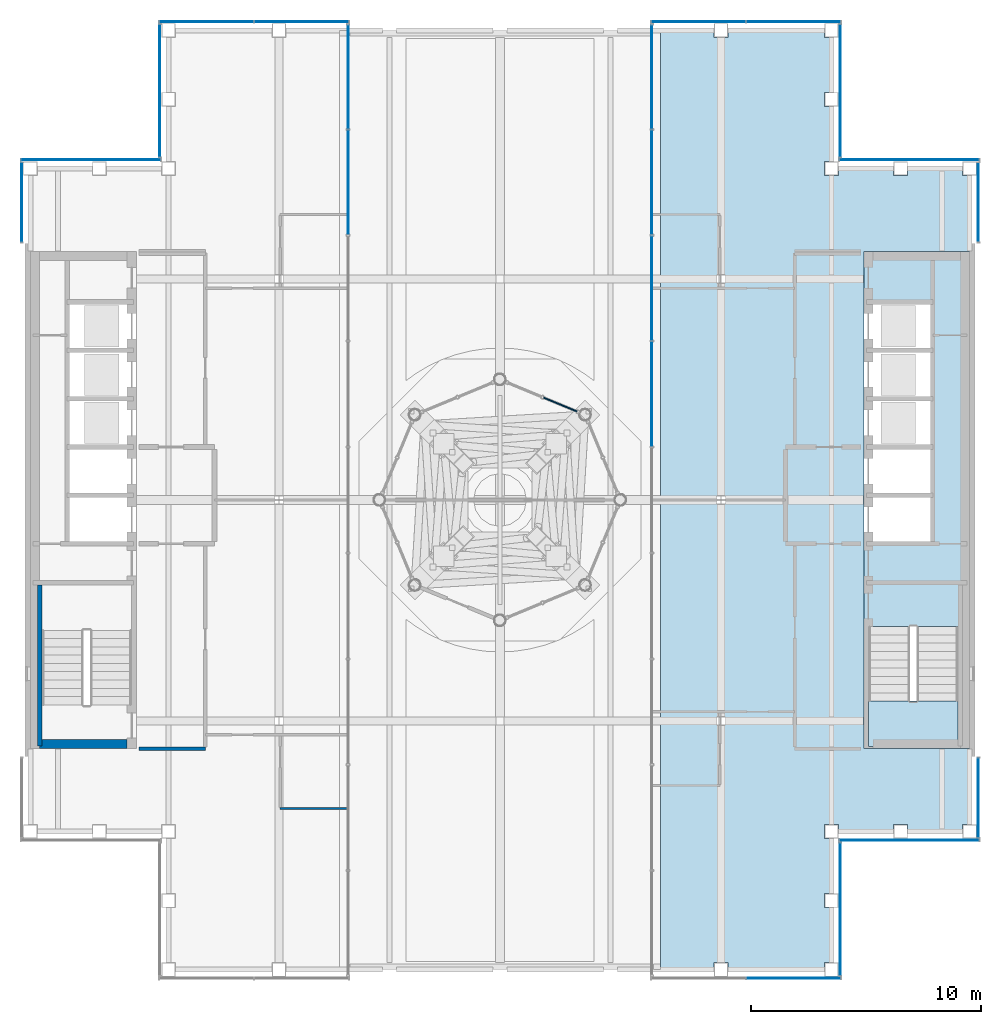
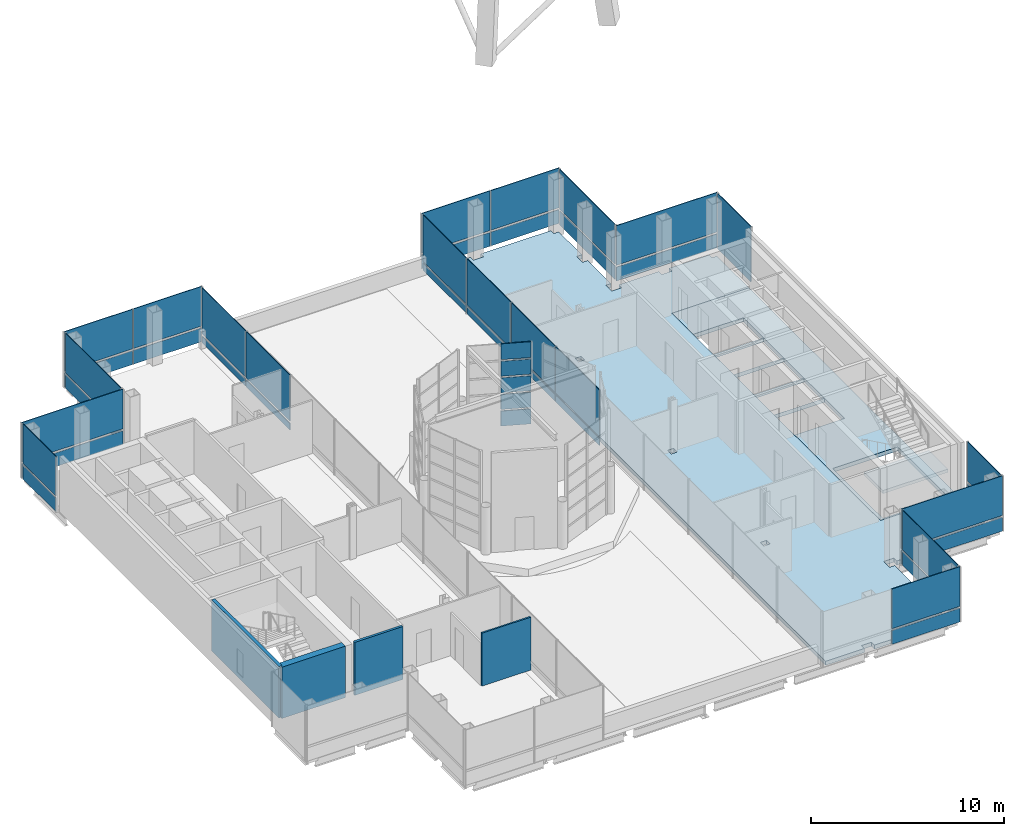
# One storey, part 24 of 32: 44 plates, 4 walls, 3 slabs, 16 elements without a shape of their own.
"""IFC4 building model written with IfcOpenShell, lengths in metres."""

from ifc_helpers import new_model, si_unit, direction, frame, frame_2d, origin, origin_2d, place, context, subcontext, project, spatial, polyline, rectangle, outline, extrude, material, layer, layer_set, type_object, element, aggregate, save


model = new_model("IFC4")

# Units and contexts
model_context = context("Model", 3, precision=1e-05, world=origin(), true_north=direction((0.0, 1.0)))
body_context = subcontext(model_context, "Body", "Model", "MODEL_VIEW")
ifc_project = project(units=[si_unit("LENGTHUNIT", "METRE"), si_unit("AREAUNIT", "SQUARE_METRE"), si_unit("VOLUMEUNIT", "CUBIC_METRE"), si_unit("PLANEANGLEUNIT", "RADIAN"), si_unit("MASSUNIT", "GRAM", prefix="KILO")], contexts=[model_context])

# Site, building, storey
site_placement = place(None, origin())
site = spatial("IfcSite", under=ifc_project, at=site_placement, CompositionType="ELEMENT")
building_placement = place(site_placement, origin())
building = spatial("IfcBuilding", under=site, at=building_placement, Name="Cobrizo Arcos Hotel Tower", CompositionType="ELEMENT")
storey_placement = place(building_placement, frame((0.0, 0.0, 265.5)))
storey = spatial("IfcBuildingStorey", under=building, at=storey_placement, Name="L70", CompositionType="ELEMENT", Elevation=265.5)

# Curtain wall, plates
ifc_material_1 = material(Name="Aluminium 6063-T6 anodised bronze", Category="aluminium")
curtain_wall_type_1 = type_object("IfcCurtainWallType", Name="CW-A guest facade", PredefinedType="NOTDEFINED", material=ifc_material_1)
curtain_wall_1_placement = place(storey_placement, origin())
curtain_wall_1 = element("IfcCurtainWall", 1, at=curtain_wall_1_placement, inside=storey, type_object=curtain_wall_type_1, Name="CW-A L70 N face", PredefinedType="NOTDEFINED")
ifc_material_2 = material(Name="Glass clear laminated low-e", Category="glass")
ifc_layer_1 = layer(ifc_material_2, 0.0400390625)
ifc_layer_set_1 = layer_set([ifc_layer_1], Name="CW-A glass panel")
plate_type_1 = type_object("IfcPlateType", Name="CW-A glass panel", PredefinedType="CURTAIN_PANEL", material=ifc_layer_set_1)
plate_1_placement = place(storey_placement, frame((12.75341796875, 20.77490234375, 0.990234375), z_axis=(0.0, 0.0, 1.0), x_axis=(-1.0, 0.0, 0.0)))
plate_1 = element("IfcPlate", 2, at=plate_1_placement, type_object=plate_type_1, Name="CW-A glass panel 2180", PredefinedType="CURTAIN_PANEL", context=body_context, shape_type="SweptSolid", body=[
    extrude(rectangle(XDim=4.072998046875, YDim=0.0400390625, at=origin_2d()), origin(), (0.0, 0.0, 1.0), 2.510009765625),
])
plate_2_placement = place(storey_placement, frame((8.62060546875, 20.77490234375, 0.990234375), z_axis=(0.0, 0.0, 1.0), x_axis=(-1.0, 0.0, 0.0)))
plate_2 = element("IfcPlate", 3, at=plate_2_placement, type_object=plate_type_1, Name="CW-A glass panel 2181", PredefinedType="CURTAIN_PANEL", context=body_context, shape_type="SweptSolid", body=[
    extrude(rectangle(XDim=4.072998046875, YDim=0.0400390625, at=origin_2d()), origin(), (0.0, 0.0, 1.0), 2.510009765625),
])

# Curtain wall, plate
curtain_wall_2_placement = place(storey_placement, origin())
curtain_wall_2 = element("IfcCurtainWall", 4, at=curtain_wall_2_placement, inside=storey, type_object=curtain_wall_type_1, Name="CW-A L70 S face", PredefinedType="NOTDEFINED")
plate_3_placement = place(storey_placement, frame((12.75341796875, -20.77490234375, 0.990234375), z_axis=(0.0, 0.0, 1.0), x_axis=(1.0, 0.0, 0.0)))
plate_3 = element("IfcPlate", 5, at=plate_3_placement, type_object=plate_type_1, Name="CW-A glass panel 2192", PredefinedType="CURTAIN_PANEL", context=body_context, shape_type="SweptSolid", body=[
    extrude(rectangle(XDim=4.072998046875, YDim=0.0400390625, at=origin_2d()), origin(), (0.0, 0.0, 1.0), 2.510009765625),
])

curtain_wall_3_placement = place(storey_placement, origin())
curtain_wall_3 = element("IfcCurtainWall", 6, at=curtain_wall_3_placement, inside=storey, type_object=curtain_wall_type_1, Name="CW-A L70 E face", PredefinedType="NOTDEFINED")
plate_4_placement = place(storey_placement, frame((14.77490234375, -17.77490234375, 0.990234375), z_axis=(0.0, 0.0, 1.0), x_axis=(0.0, 1.0, 0.0)))
plate_4 = element("IfcPlate", 7, at=plate_4_placement, type_object=plate_type_1, Name="CW-A glass panel 2193", PredefinedType="CURTAIN_PANEL", context=body_context, shape_type="SweptSolid", body=[
    extrude(rectangle(XDim=5.72998046875, YDim=0.0400390625, at=origin_2d()), origin(), (0.0, 0.0, 1.0), 2.510009765625),
])

curtain_wall_4_placement = place(storey_placement, origin())
curtain_wall_4 = element("IfcCurtainWall", 8, at=curtain_wall_4_placement, inside=storey, type_object=curtain_wall_type_1, Name="CW-A L70 S face", PredefinedType="NOTDEFINED")
plate_5_placement = place(storey_placement, frame((17.77490234375, -14.77490234375, 0.990234375), z_axis=(0.0, 0.0, 1.0), x_axis=(1.0, 0.0, 0.0)))
plate_5 = element("IfcPlate", 9, at=plate_5_placement, type_object=plate_type_1, Name="CW-A glass panel 2194", PredefinedType="CURTAIN_PANEL", context=body_context, shape_type="SweptSolid", body=[
    extrude(rectangle(XDim=6.030029296875, YDim=0.0400390625, at=origin_2d()), origin(), (0.0, 0.0, 1.0), 2.510009765625),
])

curtain_wall_5_placement = place(storey_placement, origin())
curtain_wall_5 = element("IfcCurtainWall", 10, at=curtain_wall_5_placement, inside=storey, type_object=curtain_wall_type_1, Name="CW-A L70 E face", PredefinedType="NOTDEFINED")
plate_6_placement = place(storey_placement, frame((20.77490234375, -12.925048828125, 0.990234375), z_axis=(0.0, 0.0, 1.0), x_axis=(0.0, 1.0, 0.0)))
plate_6 = element("IfcPlate", 11, at=plate_6_placement, type_object=plate_type_1, Name="CW-A glass panel 2195", PredefinedType="CURTAIN_PANEL", context=body_context, shape_type="SweptSolid", body=[
    extrude(rectangle(XDim=3.429931640625, YDim=0.0400390625, at=origin_2d()), origin(), (0.0, 0.0, 1.0), 2.510009765625),
])

curtain_wall_6_placement = place(storey_placement, origin())
curtain_wall_6 = element("IfcCurtainWall", 12, at=curtain_wall_6_placement, inside=storey, type_object=curtain_wall_type_1, Name="CW-A L70 N face", PredefinedType="NOTDEFINED")
plate_7_placement = place(storey_placement, frame((17.77490234375, 14.77490234375, 0.990234375), z_axis=(0.0, 0.0, 1.0), x_axis=(-1.0, 0.0, 0.0)))
plate_7 = element("IfcPlate", 13, at=plate_7_placement, type_object=plate_type_1, Name="CW-A glass panel 2197", PredefinedType="CURTAIN_PANEL", context=body_context, shape_type="SweptSolid", body=[
    extrude(rectangle(XDim=6.030029296875, YDim=0.0400390625, at=origin_2d()), origin(), (0.0, 0.0, 1.0), 2.510009765625),
])

curtain_wall_7_placement = place(storey_placement, origin())
curtain_wall_7 = element("IfcCurtainWall", 14, at=curtain_wall_7_placement, inside=storey, type_object=curtain_wall_type_1, Name="CW-A L70 E face", PredefinedType="NOTDEFINED")
plate_8_placement = place(storey_placement, frame((14.77490234375, 17.77490234375, 0.990234375), z_axis=(0.0, 0.0, 1.0), x_axis=(0.0, 1.0, 0.0)))
plate_8 = element("IfcPlate", 15, at=plate_8_placement, type_object=plate_type_1, Name="CW-A glass panel 2198", PredefinedType="CURTAIN_PANEL", context=body_context, shape_type="SweptSolid", body=[
    extrude(rectangle(XDim=5.72998046875, YDim=0.0400390625, at=origin_2d()), origin(), (0.0, 0.0, 1.0), 2.510009765625),
])

# Curtain wall, plates
curtain_wall_8_placement = place(storey_placement, origin())
curtain_wall_8 = element("IfcCurtainWall", 16, at=curtain_wall_8_placement, inside=storey, type_object=curtain_wall_type_1, Name="CW-A L70 N face", PredefinedType="NOTDEFINED")
plate_9_placement = place(storey_placement, frame((-8.62060546875, 20.77490234375, 0.990234375), z_axis=(0.0, 0.0, 1.0), x_axis=(-1.0, 0.0, 0.0)))
plate_9 = element("IfcPlate", 17, at=plate_9_placement, type_object=plate_type_1, Name="CW-A glass panel 2210", PredefinedType="CURTAIN_PANEL", context=body_context, shape_type="SweptSolid", body=[
    extrude(rectangle(XDim=4.072998046875, YDim=0.0400390625, at=origin_2d()), origin(), (0.0, 0.0, 1.0), 2.510009765625),
])
plate_10_placement = place(storey_placement, frame((-12.75341796875, 20.77490234375, 0.990234375), z_axis=(0.0, 0.0, 1.0), x_axis=(-1.0, 0.0, 0.0)))
plate_10 = element("IfcPlate", 18, at=plate_10_placement, type_object=plate_type_1, Name="CW-A glass panel 2211", PredefinedType="CURTAIN_PANEL", context=body_context, shape_type="SweptSolid", body=[
    extrude(rectangle(XDim=4.072998046875, YDim=0.0400390625, at=origin_2d()), origin(), (0.0, 0.0, 1.0), 2.510009765625),
])

# Curtain wall, plate
curtain_wall_9_placement = place(storey_placement, origin())
curtain_wall_9 = element("IfcCurtainWall", 19, at=curtain_wall_9_placement, inside=storey, type_object=curtain_wall_type_1, Name="CW-A L70 W face", PredefinedType="NOTDEFINED")
plate_11_placement = place(storey_placement, frame((-14.77490234375, 17.77490234375, 0.990234375), z_axis=(0.0, 0.0, 1.0), x_axis=(0.0, -1.0, 0.0)))
plate_11 = element("IfcPlate", 20, at=plate_11_placement, type_object=plate_type_1, Name="CW-A glass panel 2212", PredefinedType="CURTAIN_PANEL", context=body_context, shape_type="SweptSolid", body=[
    extrude(rectangle(XDim=5.72998046875, YDim=0.0400390625, at=origin_2d()), origin(), (0.0, 0.0, 1.0), 2.510009765625),
])

curtain_wall_10_placement = place(storey_placement, origin())
curtain_wall_10 = element("IfcCurtainWall", 21, at=curtain_wall_10_placement, inside=storey, type_object=curtain_wall_type_1, Name="CW-A L70 N face", PredefinedType="NOTDEFINED")
plate_12_placement = place(storey_placement, frame((-17.77490234375, 14.77490234375, 0.990234375), z_axis=(0.0, 0.0, 1.0), x_axis=(-1.0, 0.0, 0.0)))
plate_12 = element("IfcPlate", 22, at=plate_12_placement, type_object=plate_type_1, Name="CW-A glass panel 2213", PredefinedType="CURTAIN_PANEL", context=body_context, shape_type="SweptSolid", body=[
    extrude(rectangle(XDim=6.030029296875, YDim=0.0400390625, at=origin_2d()), origin(), (0.0, 0.0, 1.0), 2.510009765625),
])

curtain_wall_11_placement = place(storey_placement, origin())
curtain_wall_11 = element("IfcCurtainWall", 23, at=curtain_wall_11_placement, inside=storey, type_object=curtain_wall_type_1, Name="CW-A L70 W face", PredefinedType="NOTDEFINED")
plate_13_placement = place(storey_placement, frame((-20.77490234375, 12.925048828125, 0.990234375), z_axis=(0.0, 0.0, 1.0), x_axis=(0.0, -1.0, 0.0)))
plate_13 = element("IfcPlate", 24, at=plate_13_placement, type_object=plate_type_1, Name="CW-A glass panel 2214", PredefinedType="CURTAIN_PANEL", context=body_context, shape_type="SweptSolid", body=[
    extrude(rectangle(XDim=3.429931640625, YDim=0.0400390625, at=origin_2d()), origin(), (0.0, 0.0, 1.0), 2.510009765625),
])

# Plate
ifc_material_3 = material(Name="Aluminium composite panel pale metal", Category="aluminium")
ifc_layer_2 = layer(ifc_material_3, 0.0400390625)
ifc_layer_set_2 = layer_set([ifc_layer_2], Name="CW-A spandrel panel")
plate_type_2 = type_object("IfcPlateType", Name="CW-A spandrel panel", PredefinedType="CURTAIN_PANEL", material=ifc_layer_set_2)
plate_14_placement = place(storey_placement, frame((12.75341796875, 20.77490234375, 0.0), z_axis=(0.0, 0.0, 1.0), x_axis=(-1.0, 0.0, 0.0)))
plate_14 = element("IfcPlate", 25, at=plate_14_placement, type_object=plate_type_2, Name="CW-A spandrel panel 2180", PredefinedType="CURTAIN_PANEL", context=body_context, shape_type="SweptSolid", body=[
    extrude(rectangle(XDim=4.072998046875, YDim=0.0400390625, at=origin_2d()), origin(), (0.0, 0.0, 1.0), 0.8701171875),
])

plate_15_placement = place(storey_placement, frame((8.62060546875, 20.77490234375, 0.0), z_axis=(0.0, 0.0, 1.0), x_axis=(-1.0, 0.0, 0.0)))
plate_15 = element("IfcPlate", 26, at=plate_15_placement, type_object=plate_type_2, Name="CW-A spandrel panel 2181", PredefinedType="CURTAIN_PANEL", context=body_context, shape_type="SweptSolid", body=[
    extrude(rectangle(XDim=4.072998046875, YDim=0.0400390625, at=origin_2d()), origin(), (0.0, 0.0, 1.0), 0.8701171875),
])

aggregate(curtain_wall_1, [plate_14, plate_1, plate_15, plate_2])

plate_16_placement = place(storey_placement, frame((12.75341796875, -20.77490234375, 0.0), z_axis=(0.0, 0.0, 1.0), x_axis=(1.0, 0.0, 0.0)))
plate_16 = element("IfcPlate", 27, at=plate_16_placement, type_object=plate_type_2, Name="CW-A spandrel panel 2192", PredefinedType="CURTAIN_PANEL", context=body_context, shape_type="SweptSolid", body=[
    extrude(rectangle(XDim=4.072998046875, YDim=0.0400390625, at=origin_2d()), origin(), (0.0, 0.0, 1.0), 0.8701171875),
])

aggregate(curtain_wall_2, [plate_16, plate_3])

plate_17_placement = place(storey_placement, frame((14.77490234375, -17.77490234375, 0.0), z_axis=(0.0, 0.0, 1.0), x_axis=(0.0, 1.0, 0.0)))
plate_17 = element("IfcPlate", 28, at=plate_17_placement, type_object=plate_type_2, Name="CW-A spandrel panel 2193", PredefinedType="CURTAIN_PANEL", context=body_context, shape_type="SweptSolid", body=[
    extrude(rectangle(XDim=5.72998046875, YDim=0.0400390625, at=origin_2d()), origin(), (0.0, 0.0, 1.0), 0.8701171875),
])

aggregate(curtain_wall_3, [plate_17, plate_4])

plate_18_placement = place(storey_placement, frame((17.77490234375, -14.77490234375, 0.0), z_axis=(0.0, 0.0, 1.0), x_axis=(1.0, 0.0, 0.0)))
plate_18 = element("IfcPlate", 29, at=plate_18_placement, type_object=plate_type_2, Name="CW-A spandrel panel 2194", PredefinedType="CURTAIN_PANEL", context=body_context, shape_type="SweptSolid", body=[
    extrude(rectangle(XDim=6.030029296875, YDim=0.0400390625, at=origin_2d()), origin(), (0.0, 0.0, 1.0), 0.8701171875),
])

aggregate(curtain_wall_4, [plate_18, plate_5])

plate_19_placement = place(storey_placement, frame((20.77490234375, -12.925048828125, 0.0), z_axis=(0.0, 0.0, 1.0), x_axis=(0.0, 1.0, 0.0)))
plate_19 = element("IfcPlate", 30, at=plate_19_placement, type_object=plate_type_2, Name="CW-A spandrel panel 2195", PredefinedType="CURTAIN_PANEL", context=body_context, shape_type="SweptSolid", body=[
    extrude(rectangle(XDim=3.429931640625, YDim=0.0400390625, at=origin_2d()), origin(), (0.0, 0.0, 1.0), 0.8701171875),
])

aggregate(curtain_wall_5, [plate_19, plate_6])

# Curtain wall, plate
curtain_wall_12_placement = place(storey_placement, origin())
curtain_wall_12 = element("IfcCurtainWall", 31, at=curtain_wall_12_placement, inside=storey, type_object=curtain_wall_type_1, Name="CW-A L70 E face", PredefinedType="NOTDEFINED")
plate_20_placement = place(storey_placement, frame((20.77490234375, 12.925048828125, 0.0), z_axis=(0.0, 0.0, 1.0), x_axis=(0.0, 1.0, 0.0)))
plate_20 = element("IfcPlate", 32, at=plate_20_placement, type_object=plate_type_2, Name="CW-A spandrel panel 2196", PredefinedType="CURTAIN_PANEL", context=body_context, shape_type="SweptSolid", body=[
    extrude(rectangle(XDim=3.429931640625, YDim=0.0400390625, at=origin_2d()), origin(), (0.0, 0.0, 1.0), 3.5),
])
aggregate(curtain_wall_12, [plate_20])

# Plate
plate_21_placement = place(storey_placement, frame((17.77490234375, 14.77490234375, 0.0), z_axis=(0.0, 0.0, 1.0), x_axis=(-1.0, 0.0, 0.0)))
plate_21 = element("IfcPlate", 33, at=plate_21_placement, type_object=plate_type_2, Name="CW-A spandrel panel 2197", PredefinedType="CURTAIN_PANEL", context=body_context, shape_type="SweptSolid", body=[
    extrude(rectangle(XDim=6.030029296875, YDim=0.0400390625, at=origin_2d()), origin(), (0.0, 0.0, 1.0), 0.8701171875),
])

aggregate(curtain_wall_6, [plate_21, plate_7])

plate_22_placement = place(storey_placement, frame((14.77490234375, 17.77490234375, 0.0), z_axis=(0.0, 0.0, 1.0), x_axis=(0.0, 1.0, 0.0)))
plate_22 = element("IfcPlate", 34, at=plate_22_placement, type_object=plate_type_2, Name="CW-A spandrel panel 2198", PredefinedType="CURTAIN_PANEL", context=body_context, shape_type="SweptSolid", body=[
    extrude(rectangle(XDim=5.72998046875, YDim=0.0400390625, at=origin_2d()), origin(), (0.0, 0.0, 1.0), 0.8701171875),
])

aggregate(curtain_wall_7, [plate_22, plate_8])

plate_23_placement = place(storey_placement, frame((-8.62060546875, 20.77490234375, 0.0), z_axis=(0.0, 0.0, 1.0), x_axis=(-1.0, 0.0, 0.0)))
plate_23 = element("IfcPlate", 35, at=plate_23_placement, type_object=plate_type_2, Name="CW-A spandrel panel 2210", PredefinedType="CURTAIN_PANEL", context=body_context, shape_type="SweptSolid", body=[
    extrude(rectangle(XDim=4.072998046875, YDim=0.0400390625, at=origin_2d()), origin(), (0.0, 0.0, 1.0), 0.8701171875),
])

plate_24_placement = place(storey_placement, frame((-12.75341796875, 20.77490234375, 0.0), z_axis=(0.0, 0.0, 1.0), x_axis=(-1.0, 0.0, 0.0)))
plate_24 = element("IfcPlate", 36, at=plate_24_placement, type_object=plate_type_2, Name="CW-A spandrel panel 2211", PredefinedType="CURTAIN_PANEL", context=body_context, shape_type="SweptSolid", body=[
    extrude(rectangle(XDim=4.072998046875, YDim=0.0400390625, at=origin_2d()), origin(), (0.0, 0.0, 1.0), 0.8701171875),
])

aggregate(curtain_wall_8, [plate_23, plate_9, plate_24, plate_10])

plate_25_placement = place(storey_placement, frame((-14.77490234375, 17.77490234375, 0.0), z_axis=(0.0, 0.0, 1.0), x_axis=(0.0, -1.0, 0.0)))
plate_25 = element("IfcPlate", 37, at=plate_25_placement, type_object=plate_type_2, Name="CW-A spandrel panel 2212", PredefinedType="CURTAIN_PANEL", context=body_context, shape_type="SweptSolid", body=[
    extrude(rectangle(XDim=5.72998046875, YDim=0.0400390625, at=origin_2d()), origin(), (0.0, 0.0, 1.0), 0.8701171875),
])

aggregate(curtain_wall_9, [plate_25, plate_11])

plate_26_placement = place(storey_placement, frame((-17.77490234375, 14.77490234375, 0.0), z_axis=(0.0, 0.0, 1.0), x_axis=(-1.0, 0.0, 0.0)))
plate_26 = element("IfcPlate", 38, at=plate_26_placement, type_object=plate_type_2, Name="CW-A spandrel panel 2213", PredefinedType="CURTAIN_PANEL", context=body_context, shape_type="SweptSolid", body=[
    extrude(rectangle(XDim=6.030029296875, YDim=0.0400390625, at=origin_2d()), origin(), (0.0, 0.0, 1.0), 0.8701171875),
])

aggregate(curtain_wall_10, [plate_26, plate_12])

plate_27_placement = place(storey_placement, frame((-20.77490234375, 12.925048828125, 0.0), z_axis=(0.0, 0.0, 1.0), x_axis=(0.0, -1.0, 0.0)))
plate_27 = element("IfcPlate", 39, at=plate_27_placement, type_object=plate_type_2, Name="CW-A spandrel panel 2214", PredefinedType="CURTAIN_PANEL", context=body_context, shape_type="SweptSolid", body=[
    extrude(rectangle(XDim=3.429931640625, YDim=0.0400390625, at=origin_2d()), origin(), (0.0, 0.0, 1.0), 0.8701171875),
])

aggregate(curtain_wall_11, [plate_27, plate_13])

# Curtain wall, plates
curtain_wall_type_2 = type_object("IfcCurtainWallType", Name="CW-C arch infill and crown glazing", PredefinedType="NOTDEFINED", material=ifc_material_1)
curtain_wall_13_placement = place(storey_placement, origin())
curtain_wall_13 = element("IfcCurtainWall", 40, at=curtain_wall_13_placement, inside=storey, type_object=curtain_wall_type_2, Name="CW-C L70 W face", PredefinedType="NOTDEFINED")
ifc_layer_3 = layer(ifc_material_2, 0.0400390625)
ifc_layer_set_3 = layer_set([ifc_layer_3], Name="CW-C glass panel")
plate_type_3 = type_object("IfcPlateType", Name="CW-C glass panel", PredefinedType="CURTAIN_PANEL", material=ifc_layer_set_3)
plate_28_placement = place(storey_placement, frame((6.59912109375, 18.382568359375, 0.0), z_axis=(0.0, 0.0, 1.0), x_axis=(0.0, -1.0, 0.0)))
plate_28 = element("IfcPlate", 41, at=plate_28_placement, type_object=plate_type_3, Name="CW-C glass panel 2182", PredefinedType="CURTAIN_PANEL", context=body_context, shape_type="SweptSolid", body=[
    extrude(rectangle(XDim=4.4951171875, YDim=0.0400390625, at=origin_2d()), origin(), (0.0, 0.0, 1.0), 0.429931640625),
])
plate_29_placement = place(storey_placement, frame((6.59912109375, 18.382568359375, 0.56982421875), z_axis=(0.0, 0.0, 1.0), x_axis=(0.0, -1.0, 0.0)))
plate_29 = element("IfcPlate", 42, at=plate_29_placement, type_object=plate_type_3, Name="CW-C glass panel 2182", PredefinedType="CURTAIN_PANEL", context=body_context, shape_type="SweptSolid", body=[
    extrude(rectangle(XDim=4.4951171875, YDim=0.0400390625, at=origin_2d()), origin(), (0.0, 0.0, 1.0), 2.929931640625),
])
plate_30_placement = place(storey_placement, frame((6.59912109375, 13.800048828125, 0.0), z_axis=(0.0, 0.0, 1.0), x_axis=(0.0, -1.0, 0.0)))
plate_30 = element("IfcPlate", 43, at=plate_30_placement, type_object=plate_type_3, Name="CW-C glass panel 2183", PredefinedType="CURTAIN_PANEL", context=body_context, shape_type="SweptSolid", body=[
    extrude(rectangle(XDim=4.530029296875, YDim=0.0400390625, at=origin_2d()), origin(), (0.0, 0.0, 1.0), 0.429931640625),
])
plate_31_placement = place(storey_placement, frame((6.59912109375, 13.800048828125, 0.56982421875), z_axis=(0.0, 0.0, 1.0), x_axis=(0.0, -1.0, 0.0)))
plate_31 = element("IfcPlate", 44, at=plate_31_placement, type_object=plate_type_3, Name="CW-C glass panel 2183", PredefinedType="CURTAIN_PANEL", context=body_context, shape_type="SweptSolid", body=[
    extrude(rectangle(XDim=4.530029296875, YDim=0.0400390625, at=origin_2d()), origin(), (0.0, 0.0, 1.0), 2.929931640625),
])
plate_32_placement = place(storey_placement, frame((6.59912109375, 9.199951171875, 0.0), z_axis=(0.0, 0.0, 1.0), x_axis=(0.0, -1.0, 0.0)))
plate_32 = element("IfcPlate", 45, at=plate_32_placement, type_object=plate_type_3, Name="CW-C glass panel 2184", PredefinedType="CURTAIN_PANEL", context=body_context, shape_type="SweptSolid", body=[
    extrude(rectangle(XDim=4.530029296875, YDim=0.0400390625, at=origin_2d()), origin(), (0.0, 0.0, 1.0), 0.429931640625),
])
plate_33_placement = place(storey_placement, frame((6.59912109375, 9.199951171875, 0.56982421875), z_axis=(0.0, 0.0, 1.0), x_axis=(0.0, -1.0, 0.0)))
plate_33 = element("IfcPlate", 46, at=plate_33_placement, type_object=plate_type_3, Name="CW-C glass panel 2184", PredefinedType="CURTAIN_PANEL", context=body_context, shape_type="SweptSolid", body=[
    extrude(rectangle(XDim=4.530029296875, YDim=0.0400390625, at=origin_2d()), origin(), (0.0, 0.0, 1.0), 2.929931640625),
])
plate_34_placement = place(storey_placement, frame((6.59912109375, 4.60009765625, 0.0), z_axis=(0.0, 0.0, 1.0), x_axis=(0.0, -1.0, 0.0)))
plate_34 = element("IfcPlate", 47, at=plate_34_placement, type_object=plate_type_3, Name="CW-C glass panel 2185", PredefinedType="CURTAIN_PANEL", context=body_context, shape_type="SweptSolid", body=[
    extrude(rectangle(XDim=4.530029296875, YDim=0.0400390625, at=origin_2d()), origin(), (0.0, 0.0, 1.0), 0.429931640625),
])
plate_35_placement = place(storey_placement, frame((6.59912109375, 4.60009765625, 0.56982421875), z_axis=(0.0, 0.0, 1.0), x_axis=(0.0, -1.0, 0.0)))
plate_35 = element("IfcPlate", 48, at=plate_35_placement, type_object=plate_type_3, Name="CW-C glass panel 2185", PredefinedType="CURTAIN_PANEL", context=body_context, shape_type="SweptSolid", body=[
    extrude(rectangle(XDim=4.530029296875, YDim=0.0400390625, at=origin_2d()), origin(), (0.0, 0.0, 1.0), 2.929931640625),
])
aggregate(curtain_wall_13, [plate_28, plate_29, plate_30, plate_31, plate_32, plate_33, plate_34, plate_35])

curtain_wall_14_placement = place(storey_placement, origin())
curtain_wall_14 = element("IfcCurtainWall", 49, at=curtain_wall_14_placement, inside=storey, type_object=curtain_wall_type_2, Name="CW-C L70 E face", PredefinedType="NOTDEFINED")
plate_36_placement = place(storey_placement, frame((-6.59912109375, 13.800048828125, 0.0), z_axis=(0.0, 0.0, 1.0), x_axis=(0.0, 1.0, 0.0)))
plate_36 = element("IfcPlate", 50, at=plate_36_placement, type_object=plate_type_3, Name="CW-C glass panel 2208", PredefinedType="CURTAIN_PANEL", context=body_context, shape_type="SweptSolid", body=[
    extrude(rectangle(XDim=4.530029296875, YDim=0.0400390625, at=origin_2d()), origin(), (0.0, 0.0, 1.0), 0.429931640625),
])
plate_37_placement = place(storey_placement, frame((-6.59912109375, 13.800048828125, 0.56982421875), z_axis=(0.0, 0.0, 1.0), x_axis=(0.0, 1.0, 0.0)))
plate_37 = element("IfcPlate", 51, at=plate_37_placement, type_object=plate_type_3, Name="CW-C glass panel 2208", PredefinedType="CURTAIN_PANEL", context=body_context, shape_type="SweptSolid", body=[
    extrude(rectangle(XDim=4.530029296875, YDim=0.0400390625, at=origin_2d()), origin(), (0.0, 0.0, 1.0), 2.929931640625),
])
plate_38_placement = place(storey_placement, frame((-6.59912109375, 18.382568359375, 0.0), z_axis=(0.0, 0.0, 1.0), x_axis=(0.0, 1.0, 0.0)))
plate_38 = element("IfcPlate", 52, at=plate_38_placement, type_object=plate_type_3, Name="CW-C glass panel 2209", PredefinedType="CURTAIN_PANEL", context=body_context, shape_type="SweptSolid", body=[
    extrude(rectangle(XDim=4.4951171875, YDim=0.0400390625, at=origin_2d()), origin(), (0.0, 0.0, 1.0), 0.429931640625),
])
plate_39_placement = place(storey_placement, frame((-6.59912109375, 18.382568359375, 0.56982421875), z_axis=(0.0, 0.0, 1.0), x_axis=(0.0, 1.0, 0.0)))
plate_39 = element("IfcPlate", 53, at=plate_39_placement, type_object=plate_type_3, Name="CW-C glass panel 2209", PredefinedType="CURTAIN_PANEL", context=body_context, shape_type="SweptSolid", body=[
    extrude(rectangle(XDim=4.4951171875, YDim=0.0400390625, at=origin_2d()), origin(), (0.0, 0.0, 1.0), 2.929931640625),
])
aggregate(curtain_wall_14, [plate_36, plate_37, plate_38, plate_39])

curtain_wall_type_3 = type_object("IfcCurtainWallType", Name="CW-D plant louvre wall", PredefinedType="NOTDEFINED", material=ifc_material_1)
curtain_wall_15_placement = place(storey_placement, origin())
curtain_wall_15 = element("IfcCurtainWall", 54, at=curtain_wall_15_placement, inside=storey, type_object=curtain_wall_type_3, Name="CW-D drum louvre wall 2", PredefinedType="NOTDEFINED")
ifc_layer_4 = layer(ifc_material_3, 0.06005859375)
ifc_layer_set_4 = layer_set([ifc_layer_4], Name="CW-D spandrel panel")
plate_type_4 = type_object("IfcPlateType", Name="CW-D spandrel panel", PredefinedType="CURTAIN_PANEL", material=ifc_layer_set_4)
plate_40_placement = place(storey_placement, frame((2.62060546875, 4.147216796875, 1.60009765625), z_axis=(0.0, 0.0, 1.0), x_axis=(-0.923879532511, 0.382683432365, 0.0)))
plate_40 = element("IfcPlate", 55, at=plate_40_placement, type_object=plate_type_4, Name="CW-D louvre panel 1-1", PredefinedType="CURTAIN_PANEL", context=body_context, shape_type="SweptSolid", body=[
    extrude(rectangle(XDim=1.568359375, YDim=0.06005859375, at=origin_2d()), origin(), (0.0, 0.0, 1.0), 0.949951171875),
])
plate_41_placement = place(storey_placement, frame((2.62060546875, 4.147216796875, 2.64990234375), z_axis=(0.0, 0.0, 1.0), x_axis=(-0.923879532511, 0.382683432365, 0.0)))
plate_41 = element("IfcPlate", 56, at=plate_41_placement, type_object=plate_type_4, Name="CW-D louvre panel 1-2", PredefinedType="CURTAIN_PANEL", context=body_context, shape_type="SweptSolid", body=[
    extrude(rectangle(XDim=1.568359375, YDim=0.06005859375, at=origin_2d()), origin(), (0.0, 0.0, 1.0), 0.949951171875),
])
plate_42_placement = place(storey_placement, frame((2.62060546875, 4.147216796875, 3.7001953125), z_axis=(0.0, 0.0, 1.0), x_axis=(-0.923879532511, 0.382683432365, 0.0)))
plate_42 = element("IfcPlate", 57, at=plate_42_placement, type_object=plate_type_4, Name="CW-D louvre panel 1-3", PredefinedType="CURTAIN_PANEL", context=body_context, shape_type="SweptSolid", body=[
    extrude(rectangle(XDim=1.568359375, YDim=0.06005859375, at=origin_2d()), origin(), (0.0, 0.0, 1.0), 0.949951171875),
])
plate_43_placement = place(storey_placement, frame((2.62060546875, 4.147216796875, 4.75), z_axis=(0.0, 0.0, 1.0), x_axis=(-0.923879532511, 0.382683432365, 0.0)))
plate_43 = element("IfcPlate", 58, at=plate_43_placement, type_object=plate_type_4, Name="CW-D louvre panel 1-4", PredefinedType="CURTAIN_PANEL", context=body_context, shape_type="SweptSolid", body=[
    extrude(rectangle(XDim=1.568359375, YDim=0.06005859375, at=origin_2d()), origin(), (0.0, 0.0, 1.0), 0.949951171875),
])
plate_44_placement = place(storey_placement, frame((2.62060546875, 4.147216796875, 5.800048828125), z_axis=(0.0, 0.0, 1.0), x_axis=(-0.923879532511, 0.382683432365, 0.0)))
plate_44 = element("IfcPlate", 59, at=plate_44_placement, type_object=plate_type_4, Name="CW-D louvre panel 1-5", PredefinedType="CURTAIN_PANEL", context=body_context, shape_type="SweptSolid", body=[
    extrude(rectangle(XDim=1.568359375, YDim=0.06005859375, at=origin_2d()), origin(), (0.0, 0.0, 1.0), 1.0),
])
aggregate(curtain_wall_15, [plate_40, plate_41, plate_42, plate_43, plate_44])

# Slabs
ifc_material_4 = material(Name="Concrete f'c 35 MPa", Category="concrete")
ifc_layer_5 = layer(ifc_material_4, 0.25)
ifc_layer_set_5 = layer_set([ifc_layer_5], Name="Composite floor slab 250 f'c 35")
slab_type_1 = type_object("IfcSlabType", Name="Composite floor slab 250 f'c 35", PredefinedType="FLOOR", material=ifc_layer_set_5)
slab_1_placement = place(storey_placement, frame((0.0, 0.0, -0.25)))
element("IfcSlab", 60, at=slab_1_placement, inside=storey, type_object=slab_type_1, Name="Floor slab S3, L70, no. 02", PredefinedType="FLOOR", context=body_context, shape_type="SweptSolid", body=[
    extrude(outline(polyline([(14.39990234375, 17.699951171875), (14.10009765625, 17.699951171875), (14.10009765625, 17.10009765625), (14.39990234375, 17.10009765625), (14.39990234375, 14.699951171875), (14.10009765625, 14.699951171875), (14.10009765625, 14.10009765625), (14.699951171875, 14.10009765625), (14.699951171875, 14.39990234375), (17.10009765625, 14.39990234375), (17.10009765625, 14.10009765625), (17.699951171875, 14.10009765625), (17.699951171875, 14.39990234375), (20.10009765625, 14.39990234375), (20.10009765625, 14.10009765625), (20.39990234375, 14.10009765625), (20.39990234375, 10.800048828125), (15.800048828125, 10.800048828125), (15.800048828125, -10.800048828125), (20.39990234375, -10.800048828125), (20.39990234375, -14.10009765625), (20.10009765625, -14.10009765625), (20.10009765625, -14.39990234375), (17.699951171875, -14.39990234375), (17.699951171875, -14.10009765625), (17.10009765625, -14.10009765625), (17.10009765625, -14.39990234375), (14.699951171875, -14.39990234375), (14.699951171875, -14.10009765625), (14.10009765625, -14.10009765625), (14.10009765625, -14.699951171875), (14.39990234375, -14.699951171875), (14.39990234375, -17.10009765625), (14.10009765625, -17.10009765625), (14.10009765625, -17.699951171875), (14.39990234375, -17.699951171875), (14.39990234375, -20.10009765625), (14.10009765625, -20.10009765625), (14.10009765625, -20.39990234375), (9.89990234375, -20.39990234375), (9.89990234375, -20.10009765625), (9.300048828125, -20.10009765625), (9.300048828125, -20.39990234375), (6.97412109375, -20.39990234375), (6.97412109375, 20.39990234375), (9.300048828125, 20.39990234375), (9.300048828125, 20.10009765625), (9.89990234375, 20.10009765625), (9.89990234375, 20.39990234375), (14.10009765625, 20.39990234375), (14.10009765625, 20.10009765625), (14.39990234375, 20.10009765625), (14.39990234375, 17.699951171875)]), holes=[polyline([(9.7841796875, -9.7841796875), (9.7841796875, -9.415771484375), (9.415771484375, -9.415771484375), (9.415771484375, -9.7841796875), (9.7841796875, -9.7841796875)]), polyline([(9.7841796875, -0.18408203125), (9.7841796875, 0.18408203125), (9.415771484375, 0.18408203125), (9.415771484375, -0.18408203125), (9.7841796875, -0.18408203125)]), polyline([(9.7841796875, 9.415771484375), (9.7841796875, 9.7841796875), (9.415771484375, 9.7841796875), (9.415771484375, 9.415771484375), (9.7841796875, 9.415771484375)])]), origin(), (0.0, 0.0, 1.0), 0.25),
])
ifc_material_5 = material(Name="Concrete f'c 40 MPa", Category="concrete")
ifc_layer_6 = layer(ifc_material_5, 0.25)
ifc_layer_set_6 = layer_set([ifc_layer_6], Name="RC core floor slab 250 f'c 40")
slab_type_2 = type_object("IfcSlabType", Name="RC core floor slab 250 f'c 40", PredefinedType="FLOOR", material=ifc_layer_set_6)
slab_2_placement = place(storey_placement, frame((0.0, 0.0, -0.25)))
element("IfcSlab", 61, at=slab_2_placement, inside=storey, type_object=slab_type_2, Name="Core floor slab CS7, east core, L70", PredefinedType="FLOOR", context=body_context, shape_type="SweptSolid", body=[
    extrude(outline(polyline([(15.800048828125, 10.800048828125), (20.39990234375, 10.800048828125), (20.39990234375, -10.800048828125), (15.800048828125, -10.800048828125), (15.800048828125, 10.800048828125)]), holes=[polyline([(19.89794921875, -10.697998046875), (19.89794921875, -5.501953125), (16.001953125, -5.501953125), (16.001953125, -10.697998046875), (19.89794921875, -10.697998046875)]), polyline([(15.802001953125, 0.197998046875), (15.802001953125, -1.89794921875), (18.798095703125, -1.89794921875), (18.798095703125, 0.197998046875), (15.802001953125, 0.197998046875)]), polyline([(15.802001953125, 2.298095703125), (15.802001953125, 0.201904296875), (18.798095703125, 0.201904296875), (18.798095703125, 2.298095703125), (15.802001953125, 2.298095703125)]), polyline([(15.802001953125, 4.39794921875), (15.802001953125, 2.302001953125), (18.798095703125, 2.302001953125), (18.798095703125, 4.39794921875), (15.802001953125, 4.39794921875)]), polyline([(18.798095703125, 6.498046875), (15.802001953125, 6.498046875), (15.802001953125, 4.402099609375), (18.798095703125, 4.402099609375), (18.798095703125, 6.498046875)]), polyline([(18.798095703125, 8.597900390625), (15.802001953125, 8.597900390625), (15.802001953125, 6.501953125), (18.798095703125, 6.501953125), (18.798095703125, 8.597900390625)])]), origin(), (0.0, 0.0, 1.0), 0.25),
])

# Stair, slab
stair_type = type_object("IfcStairType", Name="Exit stair", PredefinedType="HALF_TURN_STAIR", material=ifc_material_5)
stair_placement = place(storey_placement, origin())
stair = element("IfcStair", 62, at=stair_placement, inside=storey, type_object=stair_type, Name="L70 Exit stair ST-E", PredefinedType="HALF_TURN_STAIR")
ifc_layer_7 = layer(ifc_material_5, 0.199951171875)
ifc_layer_set_7 = layer_set([ifc_layer_7], Name="Stair landing")
slab_type_3 = type_object("IfcSlabType", Name="Stair landing", PredefinedType="LANDING", material=ifc_layer_set_7)
slab_3_placement = place(storey_placement, frame((0.0, 0.0, 1.550048828125)))
slab_3 = element("IfcSlab", 63, at=slab_3_placement, type_object=slab_type_3, Name="ST-E landing 1", PredefinedType="LANDING", context=body_context, shape_type="SweptSolid", body=[
    extrude(outline(polyline([(16.0, -8.739990234375), (16.0, -10.699951171875), (19.89990234375, -10.699951171875), (19.89990234375, -8.739990234375), (16.0, -8.739990234375)])), origin(), (0.0, 0.0, 1.0), 0.199951171875),
])
aggregate(stair, [slab_3])

# Walls
ifc_material_6 = material(Name="Gypsum board partition")
ifc_layer_8 = layer(ifc_material_6, 0.14990234375)
ifc_layer_set_8 = layer_set([ifc_layer_8], Name="Corridor wall EI 60 150")
wall_type_1 = type_object("IfcWallType", Name="Corridor wall EI 60 150", PredefinedType="PARTITIONING", material=ifc_layer_set_8)
wall_1_placement = place(storey_placement, frame((-15.679931640625, -10.800048828125, 0.0), z_axis=(0.0, 0.0, 1.0), x_axis=(1.0, 0.0, 0.0)))
element("IfcWall", 64, at=wall_1_placement, inside=storey, type_object=wall_type_1, Name="Partition 003", PredefinedType="PARTITIONING", context=body_context, shape_type="SweptSolid", body=[
    extrude(rectangle(XDim=2.8798828125, YDim=0.14990234375, at=frame_2d((1.43994140625, 0.0))), origin(), (0.0, 0.0, 1.0), 3.35009765625),
])
ifc_layer_9 = layer(ifc_material_6, 0.10009765625)
ifc_layer_set_9 = layer_set([ifc_layer_9], Name="Partition EI 30 100")
wall_type_2 = type_object("IfcWallType", Name="Partition EI 30 100", PredefinedType="PARTITIONING", material=ifc_layer_set_9)
wall_2_placement = place(storey_placement, frame((-9.550048828125, -13.39990234375, 0.0), z_axis=(0.0, 0.0, 1.0), x_axis=(1.0, 0.0, 0.0)))
element("IfcWall", 65, at=wall_2_placement, inside=storey, type_object=wall_type_2, Name="Partition 001", PredefinedType="PARTITIONING", context=body_context, shape_type="SweptSolid", body=[
    extrude(rectangle(XDim=2.906005859375, YDim=0.10009765625, at=frame_2d((1.453125, 0.0))), origin(), (0.0, 0.0, 1.0), 3.35009765625),
])
ifc_layer_10 = layer(ifc_material_5, 0.39990234375)
ifc_layer_set_10 = layer_set([ifc_layer_10], Name="RC core wall 400 f'c 40")
wall_type_3 = type_object("IfcWallType", Name="RC core wall 400 f'c 40", PredefinedType="SHEAR", material=ifc_layer_set_10)
wall_3_placement = place(storey_placement, frame((-20.0, -10.60009765625, 0.0), z_axis=(0.0, 0.0, 1.0), x_axis=(1.0, 0.0, 0.0)))
element("IfcWall", 66, at=wall_3_placement, inside=storey, type_object=wall_type_3, Name="Core wall CW4, west core, south end, L70", PredefinedType="SHEAR", context=body_context, shape_type="SweptSolid", body=[
    extrude(rectangle(XDim=3.800048828125, YDim=0.39990234375, at=frame_2d((1.89990234375, 0.0))), origin(), (0.0, 0.0, 1.0), 3.25),
])
ifc_layer_11 = layer(ifc_material_5, 0.199951171875)
ifc_layer_set_11 = layer_set([ifc_layer_11], Name="Stair shaft wall 200")
wall_type_4 = type_object("IfcWallType", Name="Stair shaft wall 200", PredefinedType="SHEAR", material=ifc_layer_set_11)
wall_4_placement = place(storey_placement, frame((-20.0, -10.679931640625, 0.0), z_axis=(0.0, 0.0, 1.0), x_axis=(0.0, 1.0, 0.0)))
element("IfcWall", 67, at=wall_4_placement, inside=storey, type_object=wall_type_4, Name="Stair shaft wall W", PredefinedType="SHEAR", context=body_context, shape_type="SweptSolid", body=[
    extrude(rectangle(XDim=6.97998046875, YDim=0.199951171875, at=frame_2d((3.489990234375, 0.0))), origin(), (0.0, 0.0, 1.0), 3.25),
])

save(model, "model.ifc")
